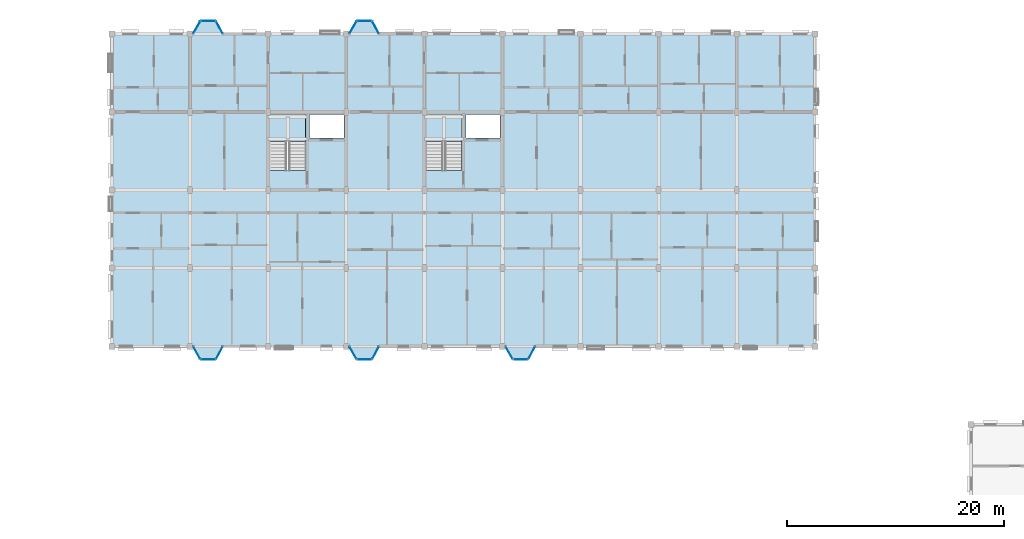
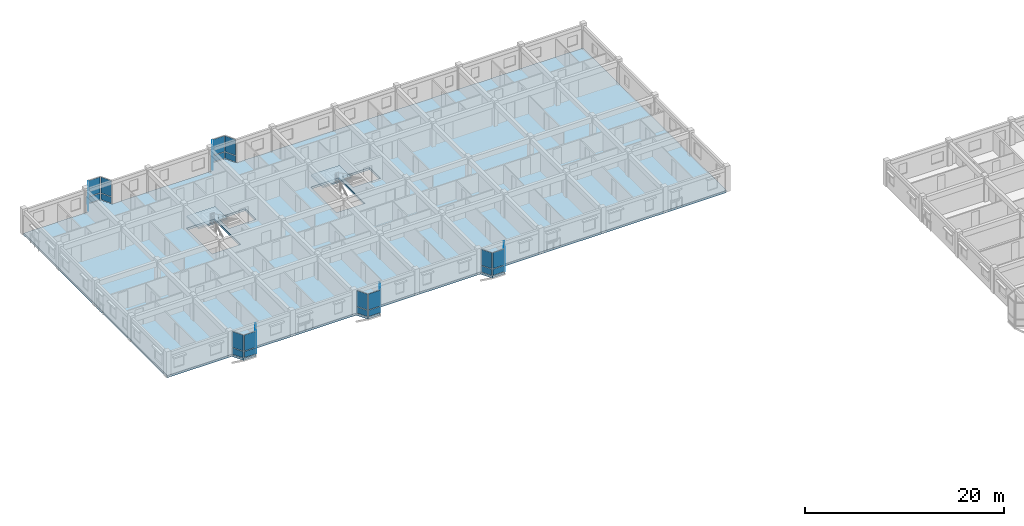
# One storey, part 49 of 79: 30 plates, 3 slabs, 17 elements without a shape of their own.
"""IFC4 building model written with IfcOpenShell, lengths in metres."""

from ifc_helpers import new_model, si_unit, direction, frame, origin, origin_2d, place, context, subcontext, project, spatial, polyline, rectangle, outline, extrude, material, layer, layer_set, type_object, element, aggregate, save


model = new_model("IFC4")

# Units and contexts
model_context = context("Model", 3, precision=1e-05, world=origin(), true_north=direction((0.0, 1.0)))
body_context = subcontext(model_context, "Body", "Model", "MODEL_VIEW")
ifc_project = project(units=[si_unit("LENGTHUNIT", "METRE"), si_unit("AREAUNIT", "SQUARE_METRE"), si_unit("VOLUMEUNIT", "CUBIC_METRE"), si_unit("PLANEANGLEUNIT", "RADIAN"), si_unit("MASSUNIT", "GRAM", prefix="KILO"), si_unit("THERMODYNAMICTEMPERATUREUNIT", "KELVIN"), si_unit("POWERUNIT", "WATT")], contexts=[model_context])

# Site, building, storey
site_placement = place(None, origin())
site = spatial("IfcSite", under=ifc_project, at=site_placement, CompositionType="ELEMENT")
building_placement = place(site_placement, origin())
building = spatial("IfcBuilding", under=site, at=building_placement, Name="Tavuni Mirador Residences", CompositionType="ELEMENT")
storey_placement = place(building_placement, frame((0.0, 0.0, 13.949951171875)))
storey = spatial("IfcBuildingStorey", under=building, at=storey_placement, Name="L04", CompositionType="ELEMENT", Elevation=13.949951171875)

# Curtain wall, plate
ifc_material_1 = material(Name="Anodised aluminium", Category="aluminium")
ifc_layer_1 = layer(ifc_material_1, 0.1650390625, Name="Anodised aluminium", Category="aluminium")
ifc_layer_set_1 = layer_set([ifc_layer_1], Name="Anodised aluminium")
curtain_wall_type_1 = type_object("IfcCurtainWallType", Name="CWT-MIR-A", PredefinedType="NOTDEFINED", material=ifc_layer_set_1)
curtain_wall_1_placement = place(storey_placement, origin())
curtain_wall_1 = element("IfcCurtainWall", 1, at=curtain_wall_1_placement, inside=storey, type_object=curtain_wall_type_1, Name="CW-MIR-C-S1-L04-M2", PredefinedType="NOTDEFINED")
ifc_material_2 = material(Name="Laminated solar-control glass", Category="glass")
ifc_layer_2 = layer(ifc_material_2, 0.02392578125, Name="Laminated solar-control glass", Category="glass")
ifc_layer_set_2 = layer_set([ifc_layer_2], Name="Laminated solar-control glass")
plate_type_1 = type_object("IfcPlateType", Name="CWP-GL24", PredefinedType="CURTAIN_PANEL", material=ifc_layer_set_2)
plate_1_placement = place(storey_placement, frame((20.699951171875, 143.39990234375, 0.8798828125), z_axis=(0.0, 0.0, 1.0), x_axis=(0.470588235296, 0.882352941175, 0.0)))
plate_1 = element("IfcPlate", 2, at=plate_1_placement, type_object=plate_type_1, Name="CW-01 panel 1.2", PredefinedType="CURTAIN_PANEL", context=body_context, shape_type="SweptSolid", body=[
    extrude(rectangle(XDim=1.239990234375, YDim=0.02392578125, at=origin_2d()), origin(), (0.0, 0.0, 1.0), 1.945068359375),
])

curtain_wall_2_placement = place(storey_placement, origin())
curtain_wall_2 = element("IfcCurtainWall", 3, at=curtain_wall_2_placement, inside=storey, type_object=curtain_wall_type_1, Name="CW-MIR-C-S3-L04-M1", PredefinedType="NOTDEFINED")
plate_2_placement = place(storey_placement, frame((47.41748046875, 143.39990234375, 0.8798828125), z_axis=(0.0, 0.0, 1.0), x_axis=(0.495749192217, -0.868465738194, 0.0)))
plate_2 = element("IfcPlate", 4, at=plate_2_placement, type_object=plate_type_1, Name="CW-01 panel 1.2", PredefinedType="CURTAIN_PANEL", context=body_context, shape_type="SweptSolid", body=[
    extrude(rectangle(XDim=1.26171875, YDim=0.02392578125, at=origin_2d()), origin(), (0.0, 0.0, 1.0), 1.945068359375),
])

curtain_wall_3_placement = place(storey_placement, origin())
curtain_wall_3 = element("IfcCurtainWall", 5, at=curtain_wall_3_placement, inside=storey, type_object=curtain_wall_type_1, Name="CW-MIR-C-N2-L04-MF", PredefinedType="NOTDEFINED")
plate_3_placement = place(storey_placement, frame((34.070068359375, 174.0, 0.8798828125), z_axis=(0.0, 0.0, 1.0), x_axis=(-1.0, 0.0, 0.0)))
plate_3 = element("IfcPlate", 6, at=plate_3_placement, type_object=plate_type_1, Name="CW-01 panel 1.2", PredefinedType="CURTAIN_PANEL", context=body_context, shape_type="SweptSolid", body=[
    extrude(rectangle(XDim=1.300048828125, YDim=0.02392578125, at=origin_2d()), origin(), (0.0, 0.0, 1.0), 1.945068359375),
])

curtain_wall_4_placement = place(storey_placement, origin())
curtain_wall_4 = element("IfcCurtainWall", 7, at=curtain_wall_4_placement, inside=storey, type_object=curtain_wall_type_1, Name="CW-MIR-C-N1-L04-M2", PredefinedType="NOTDEFINED")
plate_4_placement = place(storey_placement, frame((18.617431640625, 173.39990234375, 0.8798828125), z_axis=(0.0, 0.0, 1.0), x_axis=(-0.495749192217, -0.868465738194, 0.0)))
plate_4 = element("IfcPlate", 8, at=plate_4_placement, type_object=plate_type_1, Name="CW-01 panel 1.2", PredefinedType="CURTAIN_PANEL", context=body_context, shape_type="SweptSolid", body=[
    extrude(rectangle(XDim=1.26171875, YDim=0.02392578125, at=origin_2d()), origin(), (0.0, 0.0, 1.0), 1.945068359375),
])

ifc_layer_3 = layer(ifc_material_1, 0.14990234375, Name="Anodised aluminium", Category="aluminium")
ifc_layer_set_3 = layer_set([ifc_layer_3], Name="Anodised aluminium")
curtain_wall_type_2 = type_object("IfcCurtainWallType", Name="CWT-MIR-B", PredefinedType="NOTDEFINED", material=ifc_layer_set_3)
curtain_wall_5_placement = place(storey_placement, origin())
curtain_wall_5 = element("IfcCurtainWall", 9, at=curtain_wall_5_placement, inside=storey, type_object=curtain_wall_type_2, Name="CW-MIR-C-S2-L04-M1", PredefinedType="NOTDEFINED")
ifc_layer_4 = layer(ifc_material_2, 0.028076171875, Name="Laminated solar-control glass", Category="glass")
ifc_layer_set_4 = layer_set([ifc_layer_4], Name="Laminated solar-control glass")
plate_type_2 = type_object("IfcPlateType", Name="CWP-GL28", PredefinedType="CURTAIN_PANEL", material=ifc_layer_set_4)
plate_5_placement = place(storey_placement, frame((33.017578125, 143.39990234375, 0.882568359375), z_axis=(0.0, 0.0, 1.0), x_axis=(0.495749192217, -0.868465738194, 0.0)))
plate_5 = element("IfcPlate", 10, at=plate_5_placement, type_object=plate_type_2, Name="CW-02 panel 1.2", PredefinedType="CURTAIN_PANEL", context=body_context, shape_type="SweptSolid", body=[
    extrude(rectangle(XDim=1.251708984375, YDim=0.028076171875, at=origin_2d()), origin(), (0.0, 0.0, 1.0), 1.9375),
])

curtain_wall_6_placement = place(storey_placement, origin())
curtain_wall_6 = element("IfcCurtainWall", 11, at=curtain_wall_6_placement, inside=storey, type_object=curtain_wall_type_2, Name="CW-MIR-C-S3-L04-MF", PredefinedType="NOTDEFINED")
plate_6_placement = place(storey_placement, frame((48.469970703125, 142.800048828125, 0.882568359375), z_axis=(0.0, 0.0, 1.0), x_axis=(1.0, 0.0, 0.0)))
plate_6 = element("IfcPlate", 12, at=plate_6_placement, type_object=plate_type_2, Name="CW-02 panel 1.2", PredefinedType="CURTAIN_PANEL", context=body_context, shape_type="SweptSolid", body=[
    extrude(rectangle(XDim=1.2900390625, YDim=0.028076171875, at=origin_2d()), origin(), (0.0, 0.0, 1.0), 1.9375),
])

curtain_wall_7_placement = place(storey_placement, origin())
curtain_wall_7 = element("IfcCurtainWall", 13, at=curtain_wall_7_placement, inside=storey, type_object=curtain_wall_type_2, Name="CW-MIR-C-N2-L04-M2", PredefinedType="NOTDEFINED")
plate_7_placement = place(storey_placement, frame((33.017578125, 173.39990234375, 0.882568359375), z_axis=(0.0, 0.0, 1.0), x_axis=(-0.495749192217, -0.868465738194, 0.0)))
plate_7 = element("IfcPlate", 14, at=plate_7_placement, type_object=plate_type_2, Name="CW-02 panel 1.2", PredefinedType="CURTAIN_PANEL", context=body_context, shape_type="SweptSolid", body=[
    extrude(rectangle(XDim=1.251708984375, YDim=0.028076171875, at=origin_2d()), origin(), (0.0, 0.0, 1.0), 1.9375),
])

ifc_layer_5 = layer(ifc_material_1, 0.175048828125, Name="Anodised aluminium", Category="aluminium")
ifc_layer_set_5 = layer_set([ifc_layer_5], Name="Anodised aluminium")
curtain_wall_type_3 = type_object("IfcCurtainWallType", Name="CWT-MIR-C", PredefinedType="NOTDEFINED", material=ifc_layer_set_5)
curtain_wall_8_placement = place(storey_placement, origin())
curtain_wall_8 = element("IfcCurtainWall", 15, at=curtain_wall_8_placement, inside=storey, type_object=curtain_wall_type_3, Name="CW-MIR-C-S1-L04-M1", PredefinedType="NOTDEFINED")
ifc_layer_6 = layer(ifc_material_2, 0.031982421875, Name="Laminated solar-control glass", Category="glass")
ifc_layer_set_6 = layer_set([ifc_layer_6], Name="Laminated solar-control glass")
plate_type_3 = type_object("IfcPlateType", Name="CWP-GL32", PredefinedType="CURTAIN_PANEL", material=ifc_layer_set_6)
plate_8_placement = place(storey_placement, frame((18.617431640625, 143.39990234375, 0.8798828125), z_axis=(0.0, 0.0, 1.0), x_axis=(0.495749192217, -0.868465738194, 0.0)))
plate_8 = element("IfcPlate", 16, at=plate_8_placement, type_object=plate_type_3, Name="CW-03 panel 1.2", PredefinedType="CURTAIN_PANEL", context=body_context, shape_type="SweptSolid", body=[
    extrude(rectangle(XDim=1.26171875, YDim=0.031982421875, at=origin_2d()), origin(), (0.0, 0.0, 1.0), 1.945068359375),
])

curtain_wall_9_placement = place(storey_placement, origin())
curtain_wall_9 = element("IfcCurtainWall", 17, at=curtain_wall_9_placement, inside=storey, type_object=curtain_wall_type_3, Name="CW-MIR-C-S2-L04-MF", PredefinedType="NOTDEFINED")
plate_9_placement = place(storey_placement, frame((34.070068359375, 142.800048828125, 0.8798828125), z_axis=(0.0, 0.0, 1.0), x_axis=(1.0, 0.0, 0.0)))
plate_9 = element("IfcPlate", 18, at=plate_9_placement, type_object=plate_type_3, Name="CW-03 panel 1.2", PredefinedType="CURTAIN_PANEL", context=body_context, shape_type="SweptSolid", body=[
    extrude(rectangle(XDim=1.300048828125, YDim=0.031982421875, at=origin_2d()), origin(), (0.0, 0.0, 1.0), 1.945068359375),
])

curtain_wall_10_placement = place(storey_placement, origin())
curtain_wall_10 = element("IfcCurtainWall", 19, at=curtain_wall_10_placement, inside=storey, type_object=curtain_wall_type_3, Name="CW-MIR-C-S3-L04-M2", PredefinedType="NOTDEFINED")
plate_10_placement = place(storey_placement, frame((49.5, 143.39990234375, 0.8798828125), z_axis=(0.0, 0.0, 1.0), x_axis=(0.470588235296, 0.882352941175, 0.0)))
plate_10 = element("IfcPlate", 20, at=plate_10_placement, type_object=plate_type_3, Name="CW-03 panel 1.2", PredefinedType="CURTAIN_PANEL", context=body_context, shape_type="SweptSolid", body=[
    extrude(rectangle(XDim=1.239990234375, YDim=0.031982421875, at=origin_2d()), origin(), (0.0, 0.0, 1.0), 1.945068359375),
])

curtain_wall_11_placement = place(storey_placement, origin())
curtain_wall_11 = element("IfcCurtainWall", 21, at=curtain_wall_11_placement, inside=storey, type_object=curtain_wall_type_3, Name="CW-MIR-C-N1-L04-M1", PredefinedType="NOTDEFINED")
plate_11_placement = place(storey_placement, frame((20.699951171875, 173.39990234375, 0.8798828125), z_axis=(0.0, 0.0, 1.0), x_axis=(-0.470588235296, 0.882352941175, 0.0)))
plate_11 = element("IfcPlate", 22, at=plate_11_placement, type_object=plate_type_3, Name="CW-03 panel 1.2", PredefinedType="CURTAIN_PANEL", context=body_context, shape_type="SweptSolid", body=[
    extrude(rectangle(XDim=1.239990234375, YDim=0.031982421875, at=origin_2d()), origin(), (0.0, 0.0, 1.0), 1.945068359375),
])

ifc_layer_7 = layer(ifc_material_1, 0.159912109375, Name="Anodised aluminium", Category="aluminium")
ifc_layer_set_7 = layer_set([ifc_layer_7], Name="Anodised aluminium")
curtain_wall_type_4 = type_object("IfcCurtainWallType", Name="CWT-MIR-D", PredefinedType="NOTDEFINED", material=ifc_layer_set_7)
curtain_wall_12_placement = place(storey_placement, origin())
curtain_wall_12 = element("IfcCurtainWall", 23, at=curtain_wall_12_placement, inside=storey, type_object=curtain_wall_type_4, Name="CW-MIR-C-S1-L04-MF", PredefinedType="NOTDEFINED")
ifc_layer_8 = layer(ifc_material_2, 0.035888671875, Name="Laminated solar-control glass", Category="glass")
ifc_layer_set_8 = layer_set([ifc_layer_8], Name="Laminated solar-control glass")
plate_type_4 = type_object("IfcPlateType", Name="CWP-GL36", PredefinedType="CURTAIN_PANEL", material=ifc_layer_set_8)
plate_12_placement = place(storey_placement, frame((19.669921875, 142.800048828125, 0.882568359375), z_axis=(0.0, 0.0, 1.0), x_axis=(1.0, 0.0, 0.0)))
plate_12 = element("IfcPlate", 24, at=plate_12_placement, type_object=plate_type_4, Name="CW-04 panel 1.2", PredefinedType="CURTAIN_PANEL", context=body_context, shape_type="SweptSolid", body=[
    extrude(rectangle(XDim=1.2900390625, YDim=0.035888671875, at=origin_2d()), origin(), (0.0, 0.0, 1.0), 1.9375),
])

curtain_wall_13_placement = place(storey_placement, origin())
curtain_wall_13 = element("IfcCurtainWall", 25, at=curtain_wall_13_placement, inside=storey, type_object=curtain_wall_type_4, Name="CW-MIR-C-S2-L04-M2", PredefinedType="NOTDEFINED")
plate_13_placement = place(storey_placement, frame((35.10009765625, 143.39990234375, 0.882568359375), z_axis=(0.0, 0.0, 1.0), x_axis=(0.470588235296, 0.882352941175, 0.0)))
plate_13 = element("IfcPlate", 26, at=plate_13_placement, type_object=plate_type_4, Name="CW-04 panel 1.2", PredefinedType="CURTAIN_PANEL", context=body_context, shape_type="SweptSolid", body=[
    extrude(rectangle(XDim=1.22998046875, YDim=0.035888671875, at=origin_2d()), origin(), (0.0, 0.0, 1.0), 1.9375),
])

curtain_wall_14_placement = place(storey_placement, origin())
curtain_wall_14 = element("IfcCurtainWall", 27, at=curtain_wall_14_placement, inside=storey, type_object=curtain_wall_type_4, Name="CW-MIR-C-N2-L04-M1", PredefinedType="NOTDEFINED")
plate_14_placement = place(storey_placement, frame((35.10009765625, 173.39990234375, 0.882568359375), z_axis=(0.0, 0.0, 1.0), x_axis=(-0.470588235296, 0.882352941175, 0.0)))
plate_14 = element("IfcPlate", 28, at=plate_14_placement, type_object=plate_type_4, Name="CW-04 panel 1.2", PredefinedType="CURTAIN_PANEL", context=body_context, shape_type="SweptSolid", body=[
    extrude(rectangle(XDim=1.22998046875, YDim=0.035888671875, at=origin_2d()), origin(), (0.0, 0.0, 1.0), 1.9375),
])

curtain_wall_15_placement = place(storey_placement, origin())
curtain_wall_15 = element("IfcCurtainWall", 29, at=curtain_wall_15_placement, inside=storey, type_object=curtain_wall_type_4, Name="CW-MIR-C-N1-L04-MF", PredefinedType="NOTDEFINED")
plate_15_placement = place(storey_placement, frame((19.669921875, 174.0, 0.882568359375), z_axis=(0.0, 0.0, 1.0), x_axis=(-1.0, 0.0, 0.0)))
plate_15 = element("IfcPlate", 30, at=plate_15_placement, type_object=plate_type_4, Name="CW-04 panel 1.2", PredefinedType="CURTAIN_PANEL", context=body_context, shape_type="SweptSolid", body=[
    extrude(rectangle(XDim=1.2900390625, YDim=0.035888671875, at=origin_2d()), origin(), (0.0, 0.0, 1.0), 1.9375),
])

# Plate
ifc_material_3 = material(Name="Ceramic trencadis mosaic panel", Category="masonry")
ifc_layer_9 = layer(ifc_material_3, 0.0419921875, Name="Ceramic trencadis mosaic panel", Category="masonry")
ifc_layer_set_9 = layer_set([ifc_layer_9], Name="Ceramic trencadis mosaic panel")
plate_type_5 = type_object("IfcPlateType", Name="CWP-SP42", PredefinedType="CURTAIN_PANEL", material=ifc_layer_set_9)
plate_16_placement = place(storey_placement, frame((18.617431640625, 143.39990234375, 0.06005859375), z_axis=(0.0, 0.0, 1.0), x_axis=(0.495749192217, -0.868465738194, 0.0)))
plate_16 = element("IfcPlate", 31, at=plate_16_placement, type_object=plate_type_5, Name="CW-03 panel 1.1", PredefinedType="CURTAIN_PANEL", context=body_context, shape_type="SweptSolid", body=[
    extrude(rectangle(XDim=1.26171875, YDim=0.0419921875, at=origin_2d()), origin(), (0.0, 0.0, 1.0), 0.760009765625),
])

aggregate(curtain_wall_8, [plate_16, plate_8])

plate_17_placement = place(storey_placement, frame((20.699951171875, 143.39990234375, 0.06005859375), z_axis=(0.0, 0.0, 1.0), x_axis=(0.470588235296, 0.882352941175, 0.0)))
plate_17 = element("IfcPlate", 32, at=plate_17_placement, type_object=plate_type_5, Name="CW-01 panel 1.1", PredefinedType="CURTAIN_PANEL", context=body_context, shape_type="SweptSolid", body=[
    extrude(rectangle(XDim=1.239990234375, YDim=0.0419921875, at=origin_2d()), origin(), (0.0, 0.0, 1.0), 0.760009765625),
])

aggregate(curtain_wall_1, [plate_17, plate_1])

plate_18_placement = place(storey_placement, frame((34.070068359375, 142.800048828125, 0.06005859375), z_axis=(0.0, 0.0, 1.0), x_axis=(1.0, 0.0, 0.0)))
plate_18 = element("IfcPlate", 33, at=plate_18_placement, type_object=plate_type_5, Name="CW-03 panel 1.1", PredefinedType="CURTAIN_PANEL", context=body_context, shape_type="SweptSolid", body=[
    extrude(rectangle(XDim=1.300048828125, YDim=0.0419921875, at=origin_2d()), origin(), (0.0, 0.0, 1.0), 0.760009765625),
])

aggregate(curtain_wall_9, [plate_18, plate_9])

plate_19_placement = place(storey_placement, frame((47.41748046875, 143.39990234375, 0.06005859375), z_axis=(0.0, 0.0, 1.0), x_axis=(0.495749192217, -0.868465738194, 0.0)))
plate_19 = element("IfcPlate", 34, at=plate_19_placement, type_object=plate_type_5, Name="CW-01 panel 1.1", PredefinedType="CURTAIN_PANEL", context=body_context, shape_type="SweptSolid", body=[
    extrude(rectangle(XDim=1.26171875, YDim=0.0419921875, at=origin_2d()), origin(), (0.0, 0.0, 1.0), 0.760009765625),
])

aggregate(curtain_wall_2, [plate_19, plate_2])

plate_20_placement = place(storey_placement, frame((49.5, 143.39990234375, 0.06005859375), z_axis=(0.0, 0.0, 1.0), x_axis=(0.470588235296, 0.882352941175, 0.0)))
plate_20 = element("IfcPlate", 35, at=plate_20_placement, type_object=plate_type_5, Name="CW-03 panel 1.1", PredefinedType="CURTAIN_PANEL", context=body_context, shape_type="SweptSolid", body=[
    extrude(rectangle(XDim=1.239990234375, YDim=0.0419921875, at=origin_2d()), origin(), (0.0, 0.0, 1.0), 0.760009765625),
])

aggregate(curtain_wall_10, [plate_20, plate_10])

plate_21_placement = place(storey_placement, frame((34.070068359375, 174.0, 0.06005859375), z_axis=(0.0, 0.0, 1.0), x_axis=(-1.0, 0.0, 0.0)))
plate_21 = element("IfcPlate", 36, at=plate_21_placement, type_object=plate_type_5, Name="CW-01 panel 1.1", PredefinedType="CURTAIN_PANEL", context=body_context, shape_type="SweptSolid", body=[
    extrude(rectangle(XDim=1.300048828125, YDim=0.0419921875, at=origin_2d()), origin(), (0.0, 0.0, 1.0), 0.760009765625),
])

aggregate(curtain_wall_3, [plate_21, plate_3])

plate_22_placement = place(storey_placement, frame((20.699951171875, 173.39990234375, 0.06005859375), z_axis=(0.0, 0.0, 1.0), x_axis=(-0.470588235296, 0.882352941175, 0.0)))
plate_22 = element("IfcPlate", 37, at=plate_22_placement, type_object=plate_type_5, Name="CW-03 panel 1.1", PredefinedType="CURTAIN_PANEL", context=body_context, shape_type="SweptSolid", body=[
    extrude(rectangle(XDim=1.239990234375, YDim=0.0419921875, at=origin_2d()), origin(), (0.0, 0.0, 1.0), 0.760009765625),
])

aggregate(curtain_wall_11, [plate_22, plate_11])

plate_23_placement = place(storey_placement, frame((18.617431640625, 173.39990234375, 0.06005859375), z_axis=(0.0, 0.0, 1.0), x_axis=(-0.495749192217, -0.868465738194, 0.0)))
plate_23 = element("IfcPlate", 38, at=plate_23_placement, type_object=plate_type_5, Name="CW-01 panel 1.1", PredefinedType="CURTAIN_PANEL", context=body_context, shape_type="SweptSolid", body=[
    extrude(rectangle(XDim=1.26171875, YDim=0.0419921875, at=origin_2d()), origin(), (0.0, 0.0, 1.0), 0.760009765625),
])

aggregate(curtain_wall_4, [plate_23, plate_4])

ifc_layer_10 = layer(ifc_material_3, 0.048095703125, Name="Ceramic trencadis mosaic panel", Category="masonry")
ifc_layer_set_10 = layer_set([ifc_layer_10], Name="Ceramic trencadis mosaic panel")
plate_type_6 = type_object("IfcPlateType", Name="CWP-SP48", PredefinedType="CURTAIN_PANEL", material=ifc_layer_set_10)
plate_24_placement = place(storey_placement, frame((19.669921875, 142.800048828125, 0.065185546875), z_axis=(0.0, 0.0, 1.0), x_axis=(1.0, 0.0, 0.0)))
plate_24 = element("IfcPlate", 39, at=plate_24_placement, type_object=plate_type_6, Name="CW-04 panel 1.1", PredefinedType="CURTAIN_PANEL", context=body_context, shape_type="SweptSolid", body=[
    extrude(rectangle(XDim=1.2900390625, YDim=0.048095703125, at=origin_2d()), origin(), (0.0, 0.0, 1.0), 0.75244140625),
])

aggregate(curtain_wall_12, [plate_24, plate_12])

plate_25_placement = place(storey_placement, frame((33.017578125, 143.39990234375, 0.065185546875), z_axis=(0.0, 0.0, 1.0), x_axis=(0.495749192217, -0.868465738194, 0.0)))
plate_25 = element("IfcPlate", 40, at=plate_25_placement, type_object=plate_type_6, Name="CW-02 panel 1.1", PredefinedType="CURTAIN_PANEL", context=body_context, shape_type="SweptSolid", body=[
    extrude(rectangle(XDim=1.251708984375, YDim=0.048095703125, at=origin_2d()), origin(), (0.0, 0.0, 1.0), 0.75244140625),
])

aggregate(curtain_wall_5, [plate_25, plate_5])

plate_26_placement = place(storey_placement, frame((35.10009765625, 143.39990234375, 0.065185546875), z_axis=(0.0, 0.0, 1.0), x_axis=(0.470588235296, 0.882352941175, 0.0)))
plate_26 = element("IfcPlate", 41, at=plate_26_placement, type_object=plate_type_6, Name="CW-04 panel 1.1", PredefinedType="CURTAIN_PANEL", context=body_context, shape_type="SweptSolid", body=[
    extrude(rectangle(XDim=1.22998046875, YDim=0.048095703125, at=origin_2d()), origin(), (0.0, 0.0, 1.0), 0.75244140625),
])

aggregate(curtain_wall_13, [plate_26, plate_13])

plate_27_placement = place(storey_placement, frame((48.469970703125, 142.800048828125, 0.065185546875), z_axis=(0.0, 0.0, 1.0), x_axis=(1.0, 0.0, 0.0)))
plate_27 = element("IfcPlate", 42, at=plate_27_placement, type_object=plate_type_6, Name="CW-02 panel 1.1", PredefinedType="CURTAIN_PANEL", context=body_context, shape_type="SweptSolid", body=[
    extrude(rectangle(XDim=1.2900390625, YDim=0.048095703125, at=origin_2d()), origin(), (0.0, 0.0, 1.0), 0.75244140625),
])

aggregate(curtain_wall_6, [plate_27, plate_6])

plate_28_placement = place(storey_placement, frame((35.10009765625, 173.39990234375, 0.065185546875), z_axis=(0.0, 0.0, 1.0), x_axis=(-0.470588235296, 0.882352941175, 0.0)))
plate_28 = element("IfcPlate", 43, at=plate_28_placement, type_object=plate_type_6, Name="CW-04 panel 1.1", PredefinedType="CURTAIN_PANEL", context=body_context, shape_type="SweptSolid", body=[
    extrude(rectangle(XDim=1.22998046875, YDim=0.048095703125, at=origin_2d()), origin(), (0.0, 0.0, 1.0), 0.75244140625),
])

aggregate(curtain_wall_14, [plate_28, plate_14])

plate_29_placement = place(storey_placement, frame((33.017578125, 173.39990234375, 0.065185546875), z_axis=(0.0, 0.0, 1.0), x_axis=(-0.495749192217, -0.868465738194, 0.0)))
plate_29 = element("IfcPlate", 44, at=plate_29_placement, type_object=plate_type_6, Name="CW-02 panel 1.1", PredefinedType="CURTAIN_PANEL", context=body_context, shape_type="SweptSolid", body=[
    extrude(rectangle(XDim=1.251708984375, YDim=0.048095703125, at=origin_2d()), origin(), (0.0, 0.0, 1.0), 0.75244140625),
])

aggregate(curtain_wall_7, [plate_29, plate_7])

plate_30_placement = place(storey_placement, frame((19.669921875, 174.0, 0.065185546875), z_axis=(0.0, 0.0, 1.0), x_axis=(-1.0, 0.0, 0.0)))
plate_30 = element("IfcPlate", 45, at=plate_30_placement, type_object=plate_type_6, Name="CW-04 panel 1.1", PredefinedType="CURTAIN_PANEL", context=body_context, shape_type="SweptSolid", body=[
    extrude(rectangle(XDim=1.2900390625, YDim=0.048095703125, at=origin_2d()), origin(), (0.0, 0.0, 1.0), 0.75244140625),
])

aggregate(curtain_wall_15, [plate_30, plate_15])

# Slab
ifc_material_4 = material(Name="Prestressed concrete C45/55", Category="concrete")
ifc_layer_11 = layer(ifc_material_4, 0.264892578125, Name="Prestressed concrete C45/55", Category="concrete")
ifc_layer_set_11 = layer_set([ifc_layer_11], Name="Prestressed concrete C45/55")
slab_type_1 = type_object("IfcSlabType", Name="SLT-FLR265", PredefinedType="FLOOR", material=ifc_layer_set_11)
slab_1_placement = place(storey_placement, frame((0.0, 0.0, -0.264892578125)))
element("IfcSlab", 46, at=slab_1_placement, inside=storey, type_object=slab_type_1, Name="SLB-BLK-C-L04", PredefinedType="FLOOR", context=body_context, shape_type="SweptSolid", body=[
    extrude(outline(polyline([(10.800048828125, 144.0), (18.27490234375, 144.0), (18.9599609375, 142.800048828125), (20.3798828125, 142.800048828125), (21.02001953125, 144.0), (32.675048828125, 144.0), (33.360107421875, 142.800048828125), (34.780029296875, 142.800048828125), (35.419921875, 144.0), (47.074951171875, 144.0), (47.760009765625, 142.800048828125), (49.179931640625, 142.800048828125), (49.820068359375, 144.0), (75.60009765625, 144.0), (75.60009765625, 172.800048828125), (35.419921875, 172.800048828125), (34.780029296875, 174.0), (33.360107421875, 174.0), (32.675048828125, 172.800048828125), (21.02001953125, 172.800048828125), (20.3798828125, 174.0), (18.9599609375, 174.0), (18.27490234375, 172.800048828125), (10.800048828125, 172.800048828125), (10.800048828125, 144.0)]), holes=[polyline([(25.360107421875, 160.2080078125), (28.639892578125, 160.2080078125), (28.639892578125, 165.360107421875), (25.360107421875, 165.360107421875), (25.360107421875, 160.2080078125)]), polyline([(29.02001953125, 163.219970703125), (32.179931640625, 163.219970703125), (32.179931640625, 165.3798828125), (29.02001953125, 165.3798828125), (29.02001953125, 163.219970703125)]), polyline([(39.760009765625, 160.2080078125), (43.0400390625, 160.2080078125), (43.0400390625, 165.360107421875), (39.760009765625, 165.360107421875), (39.760009765625, 160.2080078125)]), polyline([(43.419921875, 163.219970703125), (46.580078125, 163.219970703125), (46.580078125, 165.3798828125), (43.419921875, 165.3798828125), (43.419921875, 163.219970703125)])]), origin(), (0.0, 0.0, 1.0), 0.264892578125),
])

# Stair, slab
ifc_material_5 = material(Name="Precast concrete C40/50", Category="concrete")
stair_type = type_object("IfcStairType", Name="STT-TYP", PredefinedType="HALF_TURN_STAIR", material=ifc_material_5)
stair_1_placement = place(storey_placement, origin())
stair_1 = element("IfcStair", 47, at=stair_1_placement, inside=storey, type_object=stair_type, Name="Protected exit stair ST5 (L04)", PredefinedType="HALF_TURN_STAIR")
ifc_layer_12 = layer(ifc_material_5, 0.179931640625, Name="Precast concrete C40/50", Category="concrete")
ifc_layer_set_12 = layer_set([ifc_layer_12], Name="Precast concrete C40/50")
slab_type_2 = type_object("IfcSlabType", Name="SLT-LND180", PredefinedType="LANDING", material=ifc_layer_set_12)
slab_2_placement = place(storey_placement, frame((0.0, 0.0, 1.39501953125)))
slab_2 = element("IfcSlab", 48, at=slab_2_placement, type_object=slab_type_2, Name="ST5 landing 1", PredefinedType="LANDING", context=body_context, shape_type="SweptSolid", body=[
    extrude(outline(polyline([(25.340087890625, 162.89208984375), (28.659912109375, 162.89208984375), (28.659912109375, 165.300048828125), (25.340087890625, 165.300048828125), (25.340087890625, 162.89208984375)])), origin(), (0.0, 0.0, 1.0), 0.179931640625),
])
aggregate(stair_1, [slab_2])

stair_2_placement = place(storey_placement, origin())
stair_2 = element("IfcStair", 49, at=stair_2_placement, inside=storey, type_object=stair_type, Name="Protected exit stair ST6 (L04)", PredefinedType="HALF_TURN_STAIR")
slab_3_placement = place(storey_placement, frame((0.0, 0.0, 1.39501953125)))
slab_3 = element("IfcSlab", 50, at=slab_3_placement, type_object=slab_type_2, Name="ST6 landing 1", PredefinedType="LANDING", context=body_context, shape_type="SweptSolid", body=[
    extrude(outline(polyline([(39.739990234375, 162.89208984375), (43.06005859375, 162.89208984375), (43.06005859375, 165.300048828125), (39.739990234375, 165.300048828125), (39.739990234375, 162.89208984375)])), origin(), (0.0, 0.0, 1.0), 0.179931640625),
])
aggregate(stair_2, [slab_3])

save(model, "model.ifc")
